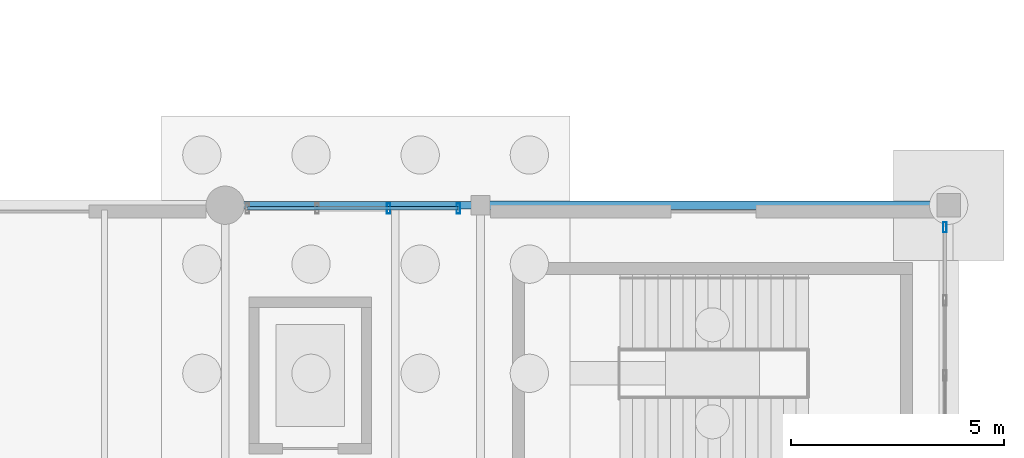
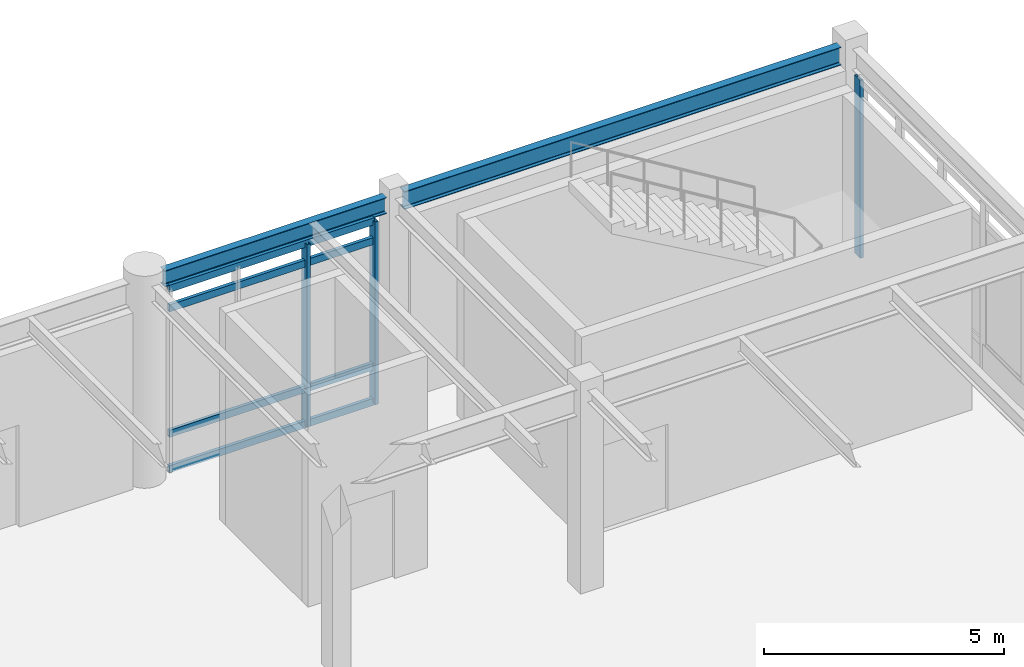
# One storey, part 149 of 203: 7 members, 2 beams, 2 elements without a shape of their own.
"""IFC4 building model written with IfcOpenShell, lengths in metres."""

from ifc_helpers import new_model, si_unit, direction, frame, origin, origin_2d, place, context, subcontext, project, spatial, hollow_rectangle, i_section, extrude, material, material_profile, profile_set, type_object, element, aggregate, save


model = new_model("IFC4")

# Units and contexts
model_context = context("Model", 3, precision=1e-05, world=origin(), true_north=direction((0.0, 1.0)))
body_context = subcontext(model_context, "Body", "Model", "MODEL_VIEW")
ifc_project = project(units=[si_unit("LENGTHUNIT", "METRE"), si_unit("AREAUNIT", "SQUARE_METRE"), si_unit("VOLUMEUNIT", "CUBIC_METRE"), si_unit("PLANEANGLEUNIT", "RADIAN"), si_unit("MASSUNIT", "GRAM", prefix="KILO"), si_unit("THERMODYNAMICTEMPERATUREUNIT", "KELVIN"), si_unit("POWERUNIT", "WATT")], contexts=[model_context])

# Site, building, storey
site_placement = place(None, origin())
site = spatial("IfcSite", under=ifc_project, at=site_placement, CompositionType="ELEMENT")
building_placement = place(site_placement, origin())
building = spatial("IfcBuilding", under=site, at=building_placement, Name="Tepalcoro Natatorium and Aquatics Centre", CompositionType="ELEMENT")
storey_placement = place(building_placement, origin())
storey = spatial("IfcBuildingStorey", under=building, at=storey_placement, Name="L00", CompositionType="ELEMENT", Elevation=0.0)

# Curtain wall, members
ifc_material_1 = material(Name="Bronze-Anodised Extruded Aluminium Alloy EN AW-6063 T6", Category="aluminium")
curtain_wall_type_1 = type_object("IfcCurtainWallType", Name="CW_V4_VILLAGE", PredefinedType="USERDEFINED", material=ifc_material_1)
curtain_wall_1_placement = place(storey_placement, origin())
curtain_wall_1 = element("IfcCurtainWall", 1, at=curtain_wall_1_placement, inside=storey, type_object=curtain_wall_type_1, Name="V5 L00 N Unitised Curtain Wall Bay 8", ObjectType="UNITISED STOREFRONT", PredefinedType="USERDEFINED")
ifc_material_profile_1 = material_profile(ifc_material_1, hollow_rectangle(XDim=0.080078125, YDim=0.239990234375, WallThickness=0.0048828125, at=origin_2d()), Name="AL80X240X5")
ifc_profile_set_1 = profile_set([ifc_material_profile_1], Name="Bronze-Anodised Extruded Aluminium Alloy EN AW-6063 T6")
member_type_1 = type_object("IfcMemberType", Name="CW_MUL_80x240", PredefinedType="MULLION", material=ifc_profile_set_1)
member_1_placement = place(storey_placement, frame((162.840087890625, 117.923828125, 0.02001953125), z_axis=(0.0, 0.0, 1.0), x_axis=(1.0, 0.0, 0.0)))
member_1 = element("IfcMember", 2, at=member_1_placement, type_object=member_type_1, Name="CW_V4_VILLAGE Curtain Wall Mullion", PredefinedType="MULLION", context=body_context, shape_type="SweptSolid", body=[
    extrude(hollow_rectangle(XDim=0.080078125, YDim=0.239990234375, WallThickness=0.0048828125, at=origin_2d()), origin(), (0.0, 0.0, 1.0), 4.656982421875),
])
member_2_placement = place(storey_placement, frame((164.47998046875, 117.923828125, 0.02001953125), z_axis=(0.0, 0.0, 1.0), x_axis=(1.0, 0.0, 0.0)))
member_2 = element("IfcMember", 3, at=member_2_placement, type_object=member_type_1, Name="CW_V4_VILLAGE Curtain Wall Mullion", PredefinedType="MULLION", context=body_context, shape_type="SweptSolid", body=[
    extrude(hollow_rectangle(XDim=0.080078125, YDim=0.239990234375, WallThickness=0.0048828125, at=origin_2d()), origin(), (0.0, 0.0, 1.0), 4.656982421875),
])

# Curtain wall, member
curtain_wall_type_2 = type_object("IfcCurtainWallType", Name="CW_V1_PLINTH", PredefinedType="USERDEFINED", material=ifc_material_1)
curtain_wall_2_placement = place(storey_placement, origin())
curtain_wall_2 = element("IfcCurtainWall", 4, at=curtain_wall_2_placement, inside=storey, type_object=curtain_wall_type_2, Name="V5 L00 E Unitised Curtain Wall Bay 4", ObjectType="UNITISED STOREFRONT", PredefinedType="USERDEFINED")
member_3_placement = place(storey_placement, frame((175.909912109375, 117.47998046875, 0.02001953125), z_axis=(0.0, 0.0, 1.0), x_axis=(1.0, 0.0, 0.0)))
member_3 = element("IfcMember", 5, at=member_3_placement, type_object=member_type_1, Name="CW_V1_PLINTH Curtain Wall Mullion", PredefinedType="MULLION", context=body_context, shape_type="SweptSolid", body=[
    extrude(hollow_rectangle(XDim=0.080078125, YDim=0.239990234375, WallThickness=0.0048828125, at=origin_2d()), origin(), (0.0, 0.0, 1.0), 4.533935546875),
])
aggregate(curtain_wall_2, [member_3])

# Member
ifc_material_profile_2 = material_profile(ifc_material_1, hollow_rectangle(XDim=0.080078125, YDim=0.179931640625, WallThickness=0.0048828125, at=origin_2d()), Name="AL80X180X5")
ifc_profile_set_2 = profile_set([ifc_material_profile_2], Name="Bronze-Anodised Extruded Aluminium Alloy EN AW-6063 T6")
member_type_2 = type_object("IfcMemberType", Name="CW_TRN_80x180", PredefinedType="USERDEFINED", material=ifc_profile_set_2)
member_4_placement = place(storey_placement, frame((159.530029296875, 117.923828125, 0.050048828125), z_axis=(1.0, 0.0, 0.0), x_axis=(0.0, 1.0, 0.0)))
member_4 = element("IfcMember", 6, at=member_4_placement, type_object=member_type_2, Name="CW_V4_VILLAGE Curtain Wall Transom", ObjectType="TRANSOM", PredefinedType="USERDEFINED", context=body_context, shape_type="SweptSolid", body=[
    extrude(hollow_rectangle(XDim=0.080078125, YDim=0.179931640625, WallThickness=0.0048828125, at=origin_2d()), origin(), (0.0, 0.0, 1.0), 4.93994140625),
])

member_5_placement = place(storey_placement, frame((159.530029296875, 117.923828125, 0.949951171875), z_axis=(1.0, 0.0, 0.0), x_axis=(0.0, 1.0, 0.0)))
member_5 = element("IfcMember", 7, at=member_5_placement, type_object=member_type_2, Name="CW_V4_VILLAGE Curtain Wall Transom", ObjectType="TRANSOM", PredefinedType="USERDEFINED", context=body_context, shape_type="SweptSolid", body=[
    extrude(hollow_rectangle(XDim=0.080078125, YDim=0.179931640625, WallThickness=0.0048828125, at=origin_2d()), origin(), (0.0, 0.0, 1.0), 4.93994140625),
])

member_6_placement = place(storey_placement, frame((159.530029296875, 117.923828125, 4.14697265625), z_axis=(1.0, 0.0, 0.0), x_axis=(0.0, 1.0, 0.0)))
member_6 = element("IfcMember", 8, at=member_6_placement, type_object=member_type_2, Name="CW_V4_VILLAGE Curtain Wall Transom", ObjectType="TRANSOM", PredefinedType="USERDEFINED", context=body_context, shape_type="SweptSolid", body=[
    extrude(hollow_rectangle(XDim=0.080078125, YDim=0.179931640625, WallThickness=0.0048828125, at=origin_2d()), origin(), (0.0, 0.0, 1.0), 4.93994140625),
])

member_7_placement = place(storey_placement, frame((159.530029296875, 117.923828125, 4.64697265625), z_axis=(1.0, 0.0, 0.0), x_axis=(0.0, 1.0, 0.0)))
member_7 = element("IfcMember", 9, at=member_7_placement, type_object=member_type_2, Name="CW_V4_VILLAGE Curtain Wall Transom", ObjectType="TRANSOM", PredefinedType="USERDEFINED", context=body_context, shape_type="SweptSolid", body=[
    extrude(hollow_rectangle(XDim=0.080078125, YDim=0.179931640625, WallThickness=0.0048828125, at=origin_2d()), origin(), (0.0, 0.0, 1.0), 4.93994140625),
])

aggregate(curtain_wall_1, [member_1, member_2, member_4, member_5, member_6, member_7])

# Beams
ifc_material_2 = material(Name="Steel ASTM A992 Grade 50 (Fy 345 MPa)", Category="steel")
ifc_material_profile_3 = material_profile(ifc_material_2, i_section(OverallWidth=0.179931640625, OverallDepth=0.4130859375, WebThickness=0.010009765625, FlangeThickness=0.01611328125, FilletRadius=0.013916015625, at=origin_2d()), Name="W16X50")
ifc_profile_set_3 = profile_set([ifc_material_profile_3], Name="Steel ASTM A992 Grade 50 (Fy 345 MPa)")
beam_type_1 = type_object("IfcBeamType", Name="SP_HSS300x200x12", PredefinedType="SPANDREL", material=ifc_profile_set_3)
beam_1_placement = place(storey_placement, frame((159.43505859375, 118.0, 4.91845703125), z_axis=(1.0, 0.0, 0.0), x_axis=(0.0, 1.0, 0.0)))
element("IfcBeam", 10, at=beam_1_placement, inside=storey, type_object=beam_type_1, Name="V5 L00 Grid Girder X", PredefinedType="SPANDREL", context=body_context, shape_type="SweptSolid", body=[
    extrude(i_section(OverallWidth=0.179931640625, OverallDepth=0.4130859375, WebThickness=0.010009765625, FlangeThickness=0.01611328125, FilletRadius=0.013916015625, at=origin_2d()), origin(), (0.0, 0.0, 1.0), 5.35498046875),
])
ifc_material_profile_4 = material_profile(ifc_material_2, i_section(OverallWidth=0.19091796875, OverallDepth=0.4599609375, WebThickness=0.010009765625, FlangeThickness=0.01611328125, FilletRadius=0.013916015625, at=origin_2d()), Name="W18X55")
ifc_profile_set_4 = profile_set([ifc_material_profile_4], Name="Steel ASTM A992 Grade 50 (Fy 345 MPa)")
beam_type_2 = type_object("IfcBeamType", Name="SP_W18x55", PredefinedType="SPANDREL", material=ifc_profile_set_4)
beam_2_placement = place(storey_placement, frame((165.2099609375, 118.0, 4.89501953125), z_axis=(1.0, 0.0, 0.0), x_axis=(0.0, 1.0, 0.0)))
element("IfcBeam", 11, at=beam_2_placement, inside=storey, type_object=beam_type_2, Name="V5 L00 Grid Girder X", PredefinedType="SPANDREL", context=body_context, shape_type="SweptSolid", body=[
    extrude(i_section(OverallWidth=0.19091796875, OverallDepth=0.4599609375, WebThickness=0.010009765625, FlangeThickness=0.01611328125, FilletRadius=0.013916015625, at=origin_2d()), origin(), (0.0, 0.0, 1.0), 10.530029296875),
])

save(model, "model.ifc")
